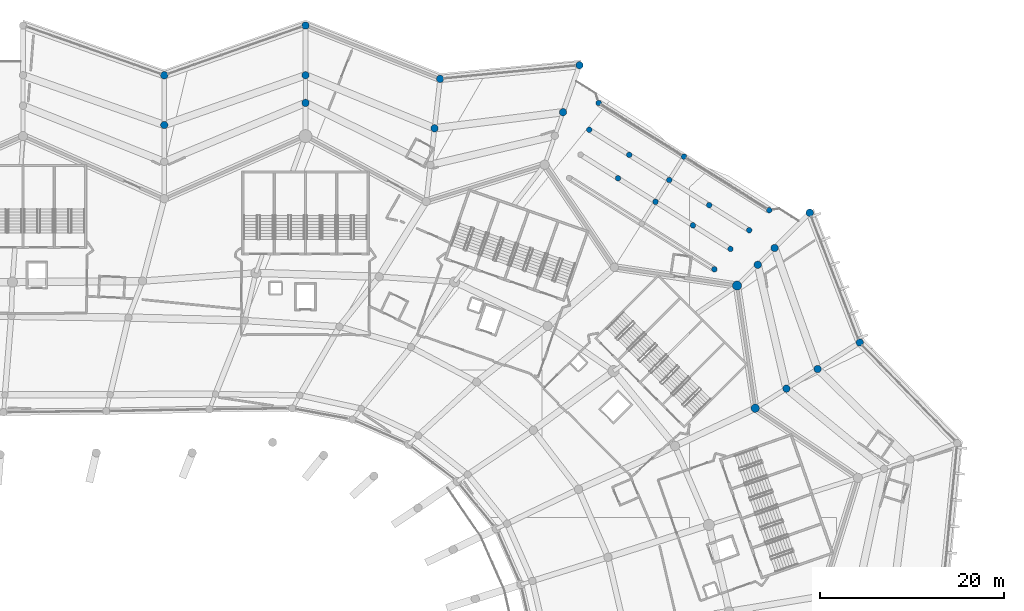
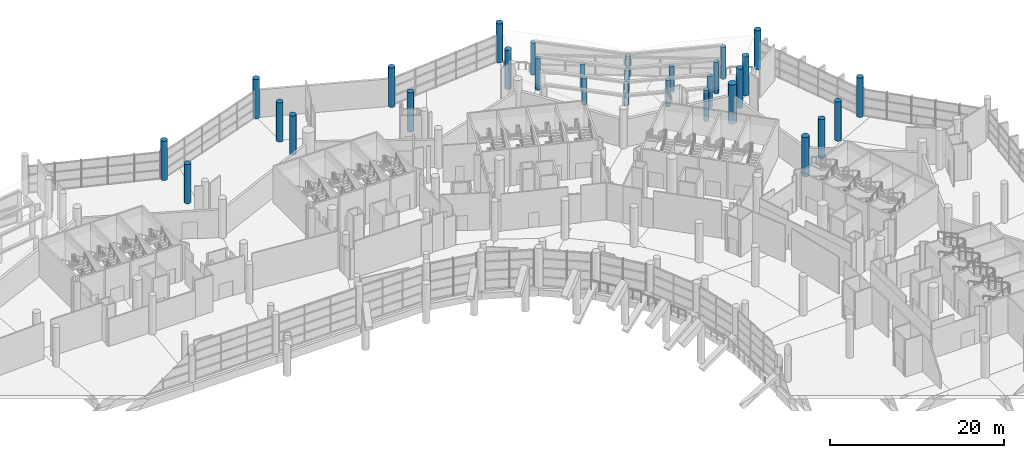
# One storey, part 7 of 271: 30 columns.
"""IFC4 building model written with IfcOpenShell, lengths in metres."""

from ifc_helpers import new_model, si_unit, direction, frame, origin, origin_2d, place, context, subcontext, project, spatial, circle, extrude, material, material_profile, profile_set, type_object, element, save


model = new_model("IFC4")

# Units and contexts
model_context = context("Model", 3, precision=1e-05, world=origin(), true_north=direction((0.0, 1.0)))
body_context = subcontext(model_context, "Body", "Model", "MODEL_VIEW")
ifc_project = project(units=[si_unit("LENGTHUNIT", "METRE"), si_unit("AREAUNIT", "SQUARE_METRE"), si_unit("VOLUMEUNIT", "CUBIC_METRE"), si_unit("PLANEANGLEUNIT", "RADIAN"), si_unit("MASSUNIT", "GRAM", prefix="KILO")], contexts=[model_context])

# Site, building, storey
site_placement = place(None, origin())
site = spatial("IfcSite", under=ifc_project, at=site_placement, CompositionType="ELEMENT")
building_placement = place(site_placement, origin())
building = spatial("IfcBuilding", under=site, at=building_placement, Name="Meseta Stadium", CompositionType="ELEMENT")
storey_placement = place(building_placement, frame((0.0, 0.0, 6.5)))
storey = spatial("IfcBuildingStorey", under=building, at=storey_placement, Name="L01", CompositionType="ELEMENT", Elevation=6.5)

# Columns
ifc_material_1 = material(Name="Concrete C40/50", Category="concrete")
ifc_material_profile_1 = material_profile(ifc_material_1, circle(Radius=0.300048828125, at=origin_2d()), Name="RC D600")
ifc_profile_set_1 = profile_set([ifc_material_profile_1], Name="Concrete C40/50")
column_type_1 = type_object("IfcColumnType", Name="Gate column D600", PredefinedType="COLUMN", material=ifc_profile_set_1)
column_1_placement = place(storey_placement, frame((82.719482421875, 90.93896484375, 0.0), z_axis=(0.0, 0.0, 1.0), x_axis=(1.0, 0.0, 0.0)))
element("IfcColumn", 1, at=column_1_placement, inside=storey, type_object=column_type_1, Name="Gate 2 column L01", PredefinedType="COLUMN", context=body_context, shape_type="SweptSolid", body=[
    extrude(circle(Radius=0.300048828125, at=origin_2d()), origin(), (0.0, 0.0, 1.0), 4.409912109375),
])
column_2_placement = place(storey_placement, frame((84.462646484375, 93.150390625, 0.0), z_axis=(0.0, 0.0, 1.0), x_axis=(1.0, 0.0, 0.0)))
element("IfcColumn", 2, at=column_2_placement, inside=storey, type_object=column_type_1, Name="Gate 2 column L01", PredefinedType="COLUMN", context=body_context, shape_type="SweptSolid", body=[
    extrude(circle(Radius=0.300048828125, at=origin_2d()), origin(), (0.0, 0.0, 1.0), 4.39599609375),
])
column_3_placement = place(storey_placement, frame((80.394287109375, 95.706787109375, 0.0), z_axis=(0.0, 0.0, 1.0), x_axis=(1.0, 0.0, 0.0)))
element("IfcColumn", 3, at=column_3_placement, inside=storey, type_object=column_type_1, Name="Gate 2 column L01", PredefinedType="COLUMN", context=body_context, shape_type="SweptSolid", body=[
    extrude(circle(Radius=0.300048828125, at=origin_2d()), origin(), (0.0, 0.0, 1.0), 3.723388671875),
])
column_4_placement = place(storey_placement, frame((76.32568359375, 98.26318359375, 0.0), z_axis=(0.0, 0.0, 1.0), x_axis=(1.0, 0.0, 0.0)))
element("IfcColumn", 4, at=column_4_placement, inside=storey, type_object=column_type_1, Name="Gate 2 column L01", PredefinedType="COLUMN", context=body_context, shape_type="SweptSolid", body=[
    extrude(circle(Radius=0.300048828125, at=origin_2d()), origin(), (0.0, 0.0, 1.0), 3.050537109375),
])
column_5_placement = place(storey_placement, frame((72.25732421875, 100.819580078125, 0.0), z_axis=(0.0, 0.0, 1.0), x_axis=(1.0, 0.0, 0.0)))
element("IfcColumn", 5, at=column_5_placement, inside=storey, type_object=column_type_1, Name="Gate 2 column L01", PredefinedType="COLUMN", context=body_context, shape_type="SweptSolid", body=[
    extrude(circle(Radius=0.300048828125, at=origin_2d()), origin(), (0.0, 0.0, 1.0), 3.723388671875),
])
column_6_placement = place(storey_placement, frame((86.49365234375, 95.181396484375, 0.0), z_axis=(0.0, 0.0, 1.0), x_axis=(1.0, 0.0, 0.0)))
element("IfcColumn", 6, at=column_6_placement, inside=storey, type_object=column_type_1, Name="Gate 2 column L01", PredefinedType="COLUMN", context=body_context, shape_type="SweptSolid", body=[
    extrude(circle(Radius=0.300048828125, at=origin_2d()), origin(), (0.0, 0.0, 1.0), 4.429443359375),
])
column_7_placement = place(storey_placement, frame((82.154541015625, 97.90771484375, 0.0), z_axis=(0.0, 0.0, 1.0), x_axis=(1.0, 0.0, 0.0)))
element("IfcColumn", 7, at=column_7_placement, inside=storey, type_object=column_type_1, Name="Gate 2 column L01", PredefinedType="COLUMN", context=body_context, shape_type="SweptSolid", body=[
    extrude(circle(Radius=0.300048828125, at=origin_2d()), origin(), (0.0, 0.0, 1.0), 3.7119140625),
])
column_8_placement = place(storey_placement, frame((77.8154296875, 100.634033203125, 0.0), z_axis=(0.0, 0.0, 1.0), x_axis=(1.0, 0.0, 0.0)))
element("IfcColumn", 8, at=column_8_placement, inside=storey, type_object=column_type_1, Name="Gate 2 column L01", PredefinedType="COLUMN", context=body_context, shape_type="SweptSolid", body=[
    extrude(circle(Radius=0.300048828125, at=origin_2d()), origin(), (0.0, 0.0, 1.0), 2.99462890625),
])
column_9_placement = place(storey_placement, frame((73.4765625, 103.360595703125, 0.0), z_axis=(0.0, 0.0, 1.0), x_axis=(1.0, 0.0, 0.0)))
element("IfcColumn", 9, at=column_9_placement, inside=storey, type_object=column_type_1, Name="Gate 2 column L01", PredefinedType="COLUMN", context=body_context, shape_type="SweptSolid", body=[
    extrude(circle(Radius=0.300048828125, at=origin_2d()), origin(), (0.0, 0.0, 1.0), 3.7119140625),
])
column_10_placement = place(storey_placement, frame((69.137451171875, 106.0869140625, 0.0), z_axis=(0.0, 0.0, 1.0), x_axis=(1.0, 0.0, 0.0)))
element("IfcColumn", 10, at=column_10_placement, inside=storey, type_object=column_type_1, Name="Gate 2 column L01", PredefinedType="COLUMN", context=body_context, shape_type="SweptSolid", body=[
    extrude(circle(Radius=0.300048828125, at=origin_2d()), origin(), (0.0, 0.0, 1.0), 4.429443359375),
])
column_11_placement = place(storey_placement, frame((88.66943359375, 97.357177734375, 0.0), z_axis=(0.0, 0.0, 1.0), x_axis=(1.0, 0.0, 0.0)))
element("IfcColumn", 11, at=column_11_placement, inside=storey, type_object=column_type_1, Name="Gate 2 column L01", PredefinedType="COLUMN", context=body_context, shape_type="SweptSolid", body=[
    extrude(circle(Radius=0.300048828125, at=origin_2d()), origin(), (0.0, 0.0, 1.0), 4.46533203125),
])
column_12_placement = place(storey_placement, frame((79.41162109375, 103.17431640625, 0.0), z_axis=(0.0, 0.0, 1.0), x_axis=(1.0, 0.0, 0.0)))
element("IfcColumn", 12, at=column_12_placement, inside=storey, type_object=column_type_1, Name="Gate 2 column L01", PredefinedType="COLUMN", context=body_context, shape_type="SweptSolid", body=[
    extrude(circle(Radius=0.300048828125, at=origin_2d()), origin(), (0.0, 0.0, 1.0), 2.9345703125),
])
column_13_placement = place(storey_placement, frame((70.15380859375, 108.991455078125, 0.0), z_axis=(0.0, 0.0, 1.0), x_axis=(1.0, 0.0, 0.0)))
element("IfcColumn", 13, at=column_13_placement, inside=storey, type_object=column_type_1, Name="Gate 2 column L01", PredefinedType="COLUMN", context=body_context, shape_type="SweptSolid", body=[
    extrude(circle(Radius=0.300048828125, at=origin_2d()), origin(), (0.0, 0.0, 1.0), 4.46533203125),
])
ifc_material_2 = material(Name="Concrete C40/50", Category="concrete")
ifc_material_profile_2 = material_profile(ifc_material_2, circle(Radius=0.5, at=origin_2d()), Name="RC D1000")
ifc_profile_set_2 = profile_set([ifc_material_profile_2], Name="Concrete C40/50")
column_type_2 = type_object("IfcColumnType", Name="RC column D1000", PredefinedType="COLUMN", material=ifc_profile_set_2)
column_14_placement = place(storey_placement, frame((85.173828125, 89.173828125, 0.0), z_axis=(0.0, 0.0, 1.0), x_axis=(1.0, 0.0, 0.0)))
element("IfcColumn", 14, at=column_14_placement, inside=storey, type_object=column_type_2, Name="Column C10 L01 frame 12 line R", PredefinedType="COLUMN", context=body_context, shape_type="SweptSolid", body=[
    extrude(circle(Radius=0.5, at=origin_2d()), origin(), (0.0, 0.0, 1.0), 5.5),
])
ifc_material_3 = material(Name="Concrete C40/50", Category="concrete")
ifc_material_profile_3 = material_profile(ifc_material_3, circle(Radius=0.39990234375, at=origin_2d()), Name="RC D800")
ifc_profile_set_3 = profile_set([ifc_material_profile_3], Name="Concrete C40/50")
column_type_3 = type_object("IfcColumnType", Name="RC column D800", PredefinedType="COLUMN", material=ifc_profile_set_3)
for number, where, z_axis, x_axis, name in (
    (15, (90.53759765625, 77.98486328125, 0.0), (0.0, 0.0, 1.0), (1.0, 0.0, 0.0), "Ring column C8 L01 frame 11 line M"),
    (16, (93.924560546875, 80.113037109375, 0.0), (0.0, 0.0, 1.0), (1.0, 0.0, 0.0), "Ring column C8 L01 frame 11 line Q"),
    (17, (98.496826171875, 82.986083984375, 0.0), (0.0, 0.0, 1.0), (1.0, 0.0, 0.0), "Ring column C8 L01 frame 11 line O"),
    (18, (87.426513671875, 91.426513671875, 0.0), (0.0, 0.0, 1.0), (1.0, 0.0, 0.0), "Ring column C8 L01 frame 12 line M"),
    (19, (89.2548828125, 93.2548828125, 0.0), (0.0, 0.0, 1.0), (1.0, 0.0, 0.0), "Ring column C8 L01 frame 12 line Q"),
    (20, (93.0732421875, 97.0732421875, 0.0), (0.0, 0.0, 1.0), (1.0, 0.0, 0.0), "Ring column C8 L01 frame 12 line O"),
    (21, (66.29150390625, 107.989990234375, 0.0), (0.0, 0.0, 1.0), (1.0, 0.0, 0.0), "Ring column C8 L01 frame 14 line Q"),
    (22, (68.0751953125, 113.0869140625, 0.0), (0.0, 0.0, 1.0), (1.0, 0.0, 0.0), "Ring column C8 L01 frame 14 line O"),
    (23, (52.337158203125, 106.244140625, 0.0), (0.0, 0.0, 1.0), (1.0, 0.0, 0.0), "Ring column C8 L01 frame 15 line Q"),
    (24, (52.94189453125, 111.610107421875, 0.0), (0.0, 0.0, 1.0), (1.0, 0.0, 0.0), "Ring column C8 L01 frame 15 line O"),
    (25, (38.333251953125, 109.0, 0.0), (0.0, 0.0, 1.0), (1.0, 0.0, 0.0), "Ring column C8 L01 frame 16 line M"),
    (26, (38.333251953125, 112.0, 0.0), (0.0, 0.0, 1.0), (1.0, 0.0, 0.0), "Ring column C8 L01 frame 16 line Q"),
    (27, (38.333251953125, 117.39990234375, 0.0), (0.0, 0.0, 1.0), (1.0, 0.0, 0.0), "Ring column C8 L01 frame 16 line O"),
    (28, (23.0, 106.60009765625, 0.0), (0.0, 0.0, 1.0), (1.0, 0.0, 0.0), "Ring column C8 L01 frame 17 line Q"),
    (29, (23.0, 112.0, 0.0), (0.0, 0.0, 1.0), (1.0, 0.0, 0.0), "Ring column C8 L01 frame 17 line O"),
):
    element("IfcColumn", number, at=place(storey_placement, frame(where, z_axis=z_axis, x_axis=x_axis)), inside=storey, type_object=column_type_3, Name=name, PredefinedType="COLUMN", context=body_context, shape_type="SweptSolid", body=[
        extrude(circle(Radius=0.39990234375, at=origin_2d()), origin(), (0.0, 0.0, 1.0), 5.5),
    ])
ifc_material_4 = material(Name="Concrete C40/50", Category="concrete")
ifc_material_profile_4 = material_profile(ifc_material_4, circle(Radius=0.449951171875, at=origin_2d()), Name="RC D900")
ifc_profile_set_4 = profile_set([ifc_material_profile_4], Name="Concrete C40/50")
column_type_4 = type_object("IfcColumnType", Name="RC column D900", PredefinedType="COLUMN", material=ifc_profile_set_4)
column_15_placement = place(storey_placement, frame((87.15087890625, 75.856689453125, 0.0), z_axis=(0.0, 0.0, 1.0), x_axis=(1.0, 0.0, 0.0)))
element("IfcColumn", 30, at=column_15_placement, inside=storey, type_object=column_type_4, Name="Column C9 L01 frame 11 line R", PredefinedType="COLUMN", context=body_context, shape_type="SweptSolid", body=[
    extrude(circle(Radius=0.449951171875, at=origin_2d()), origin(), (0.0, 0.0, 1.0), 5.5),
])

save(model, "model.ifc")
